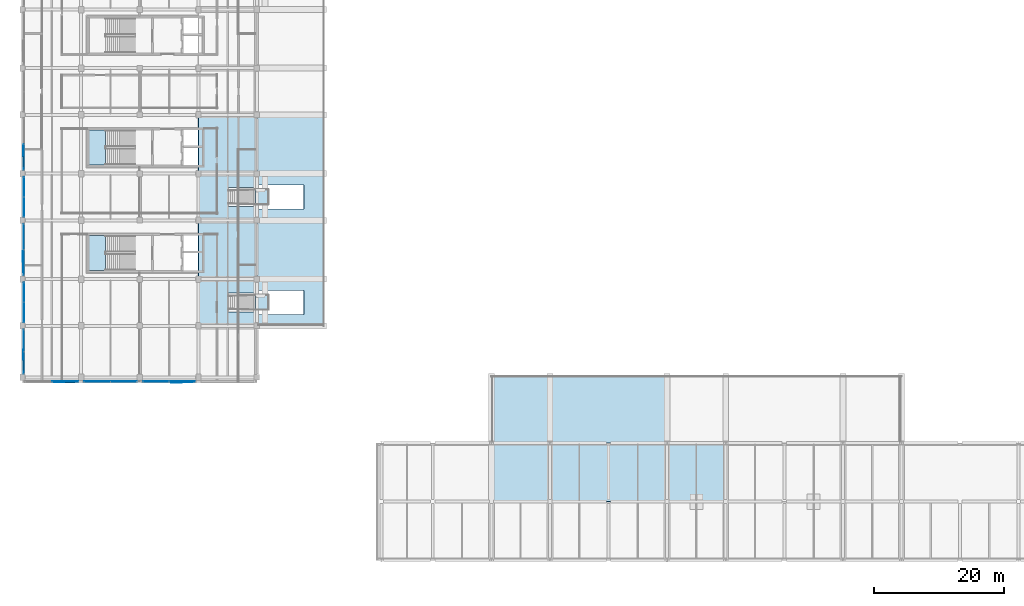
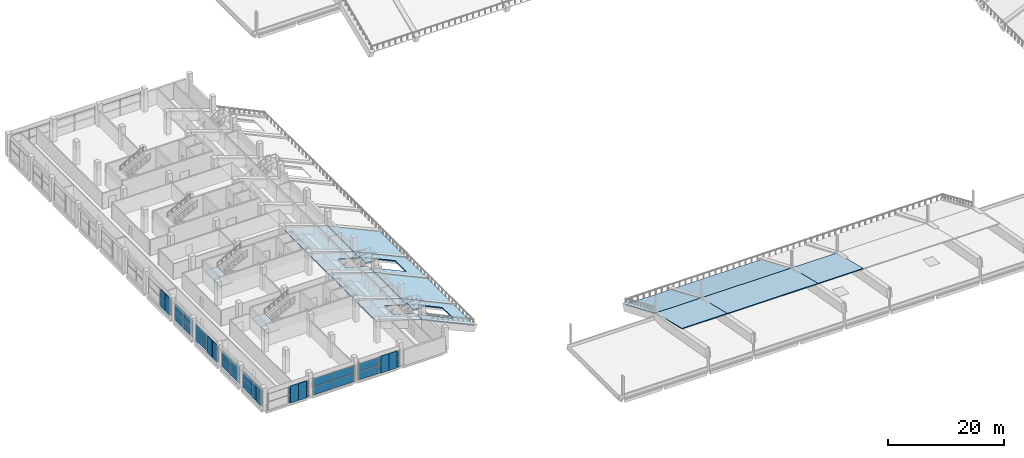
# One storey, part 40 of 66: 38 plates, 17 slabs, 10 elements without a shape of their own.
"""IFC4 building model written with IfcOpenShell, lengths in metres."""

from ifc_helpers import new_model, si_unit, direction, frame, origin, origin_2d, place, context, subcontext, project, spatial, polyline, rectangle, outline, extrude, material, layer, layer_set, type_object, element, aggregate, save


model = new_model("IFC4")

# Units and contexts
model_context = context("Model", 3, precision=1e-05, world=origin(), true_north=direction((0.0, 1.0)))
body_context = subcontext(model_context, "Body", "Model", "MODEL_VIEW")
ifc_project = project(units=[si_unit("LENGTHUNIT", "METRE"), si_unit("AREAUNIT", "SQUARE_METRE"), si_unit("VOLUMEUNIT", "CUBIC_METRE"), si_unit("PLANEANGLEUNIT", "RADIAN"), si_unit("MASSUNIT", "GRAM", prefix="KILO"), si_unit("THERMODYNAMICTEMPERATUREUNIT", "KELVIN"), si_unit("POWERUNIT", "WATT")], contexts=[model_context])

# Site, building, storey
site_placement = place(None, origin())
site = spatial("IfcSite", under=ifc_project, at=site_placement, CompositionType="ELEMENT")
building_placement = place(site_placement, origin())
building = spatial("IfcBuilding", under=site, at=building_placement, Name="Sindhuravela Promenade Stadium", CompositionType="ELEMENT")
storey_placement = place(building_placement, frame((0.0, 0.0, 19.199951171875)))
storey = spatial("IfcBuildingStorey", under=building, at=storey_placement, Name="L04", CompositionType="ELEMENT", Elevation=19.199951171875)

# Plates
ifc_material_1 = material(Name="Perforated terracotta celosia brick (15 MPa)", Category="masonry")
ifc_layer_1 = layer(ifc_material_1, 0.090087890625)
ifc_layer_set_1 = layer_set([ifc_layer_1], Name="Perforated terracotta celosia brick (15 MPa)")
plate_type_1 = type_object("IfcPlateType", Name="CL-SCR-01", PredefinedType="USERDEFINED", material=ifc_layer_set_1)
for number, where, z_axis, x_axis, name in (
    (1, (0.1201171875, 40.554931640625, 0.0), (0.0, 0.0, 1.0), (0.0, 1.0, 0.0), "Perforated brick celosia screen WEST L04-48"),
    (2, (0.1201171875, 71.85498046875, 0.0), (0.0, 0.0, 1.0), (0.0, 1.0, 0.0), "Perforated brick celosia screen WEST L04-52"),
    (3, (5.64501953125, 36.3701171875, 0.0), (0.0, 0.0, 1.0), (-1.0, 0.0, 0.0), "Perforated brick celosia screen WEST L04-64"),
):
    element("IfcPlate", number, at=place(storey_placement, frame(where, z_axis=z_axis, x_axis=x_axis)), inside=storey, type_object=plate_type_1, Name=name, ObjectType="SCREEN PANEL", PredefinedType="USERDEFINED", context=body_context, shape_type="SweptSolid", body=[
        extrude(rectangle(XDim=1.56005859375, YDim=0.090087890625, at=origin_2d()), origin(), (0.0, 0.0, 1.0), 3.580078125),
    ])
ifc_layer_2 = layer(ifc_material_1, 0.114990234375)
ifc_layer_set_2 = layer_set([ifc_layer_2], Name="Perforated terracotta celosia brick (15 MPa)")
plate_type_2 = type_object("IfcPlateType", Name="CL-SCR-02", PredefinedType="USERDEFINED", material=ifc_layer_set_2)
for number, where, z_axis, x_axis, name in (
    (4, (0.1201171875, 54.054931640625, 0.0), (0.0, 0.0, 1.0), (0.0, 1.0, 0.0), "Perforated brick celosia screen WEST L04-49"),
    (5, (25.2451171875, 36.3701171875, 0.0), (0.0, 0.0, 1.0), (-1.0, 0.0, 0.0), "Perforated brick celosia screen WEST L04-61"),
):
    element("IfcPlate", number, at=place(storey_placement, frame(where, z_axis=z_axis, x_axis=x_axis)), inside=storey, type_object=plate_type_2, Name=name, ObjectType="SCREEN PANEL", PredefinedType="USERDEFINED", context=body_context, shape_type="SweptSolid", body=[
        extrude(rectangle(XDim=1.56005859375, YDim=0.114990234375, at=origin_2d()), origin(), (0.0, 0.0, 1.0), 3.580078125),
    ])
ifc_layer_3 = layer(ifc_material_1, 0.139892578125)
ifc_layer_set_3 = layer_set([ifc_layer_3], Name="Perforated terracotta celosia brick (15 MPa)")
plate_type_3 = type_object("IfcPlateType", Name="CL-SCR-03", PredefinedType="USERDEFINED", material=ifc_layer_set_3)
for number, where, z_axis, x_axis, name in (
    (6, (0.1201171875, 55.655029296875, 0.0), (0.0, 0.0, 1.0), (0.0, 1.0, 0.0), "Perforated brick celosia screen WEST L04-50"),
    (7, (23.64501953125, 36.3701171875, 0.0), (0.0, 0.0, 1.0), (-1.0, 0.0, 0.0), "Perforated brick celosia screen WEST L04-62"),
):
    element("IfcPlate", number, at=place(storey_placement, frame(where, z_axis=z_axis, x_axis=x_axis)), inside=storey, type_object=plate_type_3, Name=name, ObjectType="SCREEN PANEL", PredefinedType="USERDEFINED", context=body_context, shape_type="SweptSolid", body=[
        extrude(rectangle(XDim=1.56005859375, YDim=0.139892578125, at=origin_2d()), origin(), (0.0, 0.0, 1.0), 3.580078125),
    ])
ifc_layer_4 = layer(ifc_material_1, 0.1650390625)
ifc_layer_set_4 = layer_set([ifc_layer_4], Name="Perforated terracotta celosia brick (15 MPa)")
plate_type_4 = type_object("IfcPlateType", Name="CL-SCR-04", PredefinedType="USERDEFINED", material=ifc_layer_set_4)
for number, where, z_axis, x_axis, name in (
    (8, (0.1201171875, 38.955078125, 0.0), (0.0, 0.0, 1.0), (0.0, 1.0, 0.0), "Perforated brick celosia screen WEST L04-47"),
    (9, (0.1201171875, 70.2548828125, 0.0), (0.0, 0.0, 1.0), (0.0, 1.0, 0.0), "Perforated brick celosia screen WEST L04-51"),
    (10, (7.2451171875, 36.3701171875, 0.0), (0.0, 0.0, 1.0), (-1.0, 0.0, 0.0), "Perforated brick celosia screen WEST L04-63"),
):
    element("IfcPlate", number, at=place(storey_placement, frame(where, z_axis=z_axis, x_axis=x_axis)), inside=storey, type_object=plate_type_4, Name=name, ObjectType="SCREEN PANEL", PredefinedType="USERDEFINED", context=body_context, shape_type="SweptSolid", body=[
        extrude(rectangle(XDim=1.56005859375, YDim=0.1650390625, at=origin_2d()), origin(), (0.0, 0.0, 1.0), 3.580078125),
    ])

# Curtain wall, plates
ifc_material_2 = material(Name="Anodised architectural aluminium 6063-T6", Category="aluminium")
curtain_wall_type_1 = type_object("IfcCurtainWallType", Name="CW-MOD-1", PredefinedType="NOTDEFINED", material=ifc_material_2)
curtain_wall_1_placement = place(storey_placement, origin())
curtain_wall_1 = element("IfcCurtainWall", 11, at=curtain_wall_1_placement, inside=storey, type_object=curtain_wall_type_1, Name="Bronze curtain wall CW-WEST-L04-048", PredefinedType="NOTDEFINED")
ifc_material_3 = material(Name="Tempered laminated low-E glass", Category="glass")
ifc_layer_5 = layer(ifc_material_3, 0.028076171875)
ifc_layer_set_5 = layer_set([ifc_layer_5], Name="Tempered laminated low-E glass")
plate_type_5 = type_object("IfcPlateType", Name="CW-PNL-01", PredefinedType="CURTAIN_PANEL", material=ifc_layer_set_5)
plate_1_placement = place(storey_placement, frame((0.199951171875, 39.35009765625, 0.01513671875), z_axis=(0.0, 0.0, 1.0), x_axis=(0.0, 1.0, 0.0)))
plate_1 = element("IfcPlate", 12, at=plate_1_placement, type_object=plate_type_5, Name="Glazed curtain panel CW-WEST-L04-048-P1.1", PredefinedType="CURTAIN_PANEL", context=body_context, shape_type="SweptSolid", body=[
    extrude(rectangle(XDim=3.340087890625, YDim=0.028076171875, at=origin_2d()), origin(), (0.0, 0.0, 1.0), 1.760009765625),
])
plate_2_placement = place(storey_placement, frame((0.199951171875, 39.35009765625, 1.80517578125), z_axis=(0.0, 0.0, 1.0), x_axis=(0.0, 1.0, 0.0)))
plate_2 = element("IfcPlate", 13, at=plate_2_placement, type_object=plate_type_5, Name="Glazed curtain panel CW-WEST-L04-048-P1.2", PredefinedType="CURTAIN_PANEL", context=body_context, shape_type="SweptSolid", body=[
    extrude(rectangle(XDim=3.340087890625, YDim=0.028076171875, at=origin_2d()), origin(), (0.0, 0.0, 1.0), 1.679931640625),
])
plate_3_placement = place(storey_placement, frame((0.199951171875, 42.75, 0.01513671875), z_axis=(0.0, 0.0, 1.0), x_axis=(0.0, 1.0, 0.0)))
plate_3 = element("IfcPlate", 14, at=plate_3_placement, type_object=plate_type_5, Name="Glazed curtain panel CW-WEST-L04-048-P2.1", PredefinedType="CURTAIN_PANEL", context=body_context, shape_type="SweptSolid", body=[
    extrude(rectangle(XDim=3.340087890625, YDim=0.028076171875, at=origin_2d()), origin(), (0.0, 0.0, 1.0), 1.760009765625),
])
plate_4_placement = place(storey_placement, frame((0.199951171875, 42.75, 1.80517578125), z_axis=(0.0, 0.0, 1.0), x_axis=(0.0, 1.0, 0.0)))
plate_4 = element("IfcPlate", 15, at=plate_4_placement, type_object=plate_type_5, Name="Glazed curtain panel CW-WEST-L04-048-P2.2", PredefinedType="CURTAIN_PANEL", context=body_context, shape_type="SweptSolid", body=[
    extrude(rectangle(XDim=3.340087890625, YDim=0.028076171875, at=origin_2d()), origin(), (0.0, 0.0, 1.0), 1.679931640625),
])
aggregate(curtain_wall_1, [plate_1, plate_2, plate_3, plate_4])

curtain_wall_type_2 = type_object("IfcCurtainWallType", Name="CW-MOD-3", PredefinedType="NOTDEFINED", material=ifc_material_2)
curtain_wall_2_placement = place(storey_placement, origin())
curtain_wall_2 = element("IfcCurtainWall", 16, at=curtain_wall_2_placement, inside=storey, type_object=curtain_wall_type_2, Name="Bronze curtain wall CW-WEST-L04-050", PredefinedType="NOTDEFINED")
plate_5_placement = place(storey_placement, frame((0.199951171875, 54.72509765625, 0.01513671875), z_axis=(0.0, 0.0, 1.0), x_axis=(0.0, 1.0, 0.0)))
plate_5 = element("IfcPlate", 17, at=plate_5_placement, type_object=plate_type_5, Name="Glazed curtain panel CW-WEST-L04-050-P1.1", PredefinedType="CURTAIN_PANEL", context=body_context, shape_type="SweptSolid", body=[
    extrude(rectangle(XDim=3.889892578125, YDim=0.028076171875, at=origin_2d()), origin(), (0.0, 0.0, 1.0), 1.760009765625),
])
plate_6_placement = place(storey_placement, frame((0.199951171875, 54.72509765625, 1.80517578125), z_axis=(0.0, 0.0, 1.0), x_axis=(0.0, 1.0, 0.0)))
plate_6 = element("IfcPlate", 18, at=plate_6_placement, type_object=plate_type_5, Name="Glazed curtain panel CW-WEST-L04-050-P1.2", PredefinedType="CURTAIN_PANEL", context=body_context, shape_type="SweptSolid", body=[
    extrude(rectangle(XDim=3.889892578125, YDim=0.028076171875, at=origin_2d()), origin(), (0.0, 0.0, 1.0), 1.679931640625),
])
plate_7_placement = place(storey_placement, frame((0.199951171875, 58.675048828125, 0.01513671875), z_axis=(0.0, 0.0, 1.0), x_axis=(0.0, 1.0, 0.0)))
plate_7 = element("IfcPlate", 19, at=plate_7_placement, type_object=plate_type_5, Name="Glazed curtain panel CW-WEST-L04-050-P2.1", PredefinedType="CURTAIN_PANEL", context=body_context, shape_type="SweptSolid", body=[
    extrude(rectangle(XDim=3.889892578125, YDim=0.028076171875, at=origin_2d()), origin(), (0.0, 0.0, 1.0), 1.760009765625),
])
plate_8_placement = place(storey_placement, frame((0.199951171875, 58.675048828125, 1.80517578125), z_axis=(0.0, 0.0, 1.0), x_axis=(0.0, 1.0, 0.0)))
plate_8 = element("IfcPlate", 20, at=plate_8_placement, type_object=plate_type_5, Name="Glazed curtain panel CW-WEST-L04-050-P2.2", PredefinedType="CURTAIN_PANEL", context=body_context, shape_type="SweptSolid", body=[
    extrude(rectangle(XDim=3.889892578125, YDim=0.028076171875, at=origin_2d()), origin(), (0.0, 0.0, 1.0), 1.679931640625),
])
aggregate(curtain_wall_2, [plate_5, plate_6, plate_7, plate_8])

curtain_wall_type_3 = type_object("IfcCurtainWallType", Name="CW-MOD-5", PredefinedType="NOTDEFINED", material=ifc_material_2)
curtain_wall_3_placement = place(storey_placement, origin())
curtain_wall_3 = element("IfcCurtainWall", 21, at=curtain_wall_3_placement, inside=storey, type_object=curtain_wall_type_3, Name="Bronze curtain wall CW-WEST-L04-052", PredefinedType="NOTDEFINED")
plate_9_placement = place(storey_placement, frame((0.199951171875, 70.925048828125, 0.01513671875), z_axis=(0.0, 0.0, 1.0), x_axis=(0.0, 1.0, 0.0)))
plate_9 = element("IfcPlate", 22, at=plate_9_placement, type_object=plate_type_5, Name="Glazed curtain panel CW-WEST-L04-052-P1.1", PredefinedType="CURTAIN_PANEL", context=body_context, shape_type="SweptSolid", body=[
    extrude(rectangle(XDim=3.889892578125, YDim=0.028076171875, at=origin_2d()), origin(), (0.0, 0.0, 1.0), 1.760009765625),
])
plate_10_placement = place(storey_placement, frame((0.199951171875, 70.925048828125, 1.80517578125), z_axis=(0.0, 0.0, 1.0), x_axis=(0.0, 1.0, 0.0)))
plate_10 = element("IfcPlate", 23, at=plate_10_placement, type_object=plate_type_5, Name="Glazed curtain panel CW-WEST-L04-052-P1.2", PredefinedType="CURTAIN_PANEL", context=body_context, shape_type="SweptSolid", body=[
    extrude(rectangle(XDim=3.889892578125, YDim=0.028076171875, at=origin_2d()), origin(), (0.0, 0.0, 1.0), 1.679931640625),
])
aggregate(curtain_wall_3, [plate_9, plate_10])

curtain_wall_type_4 = type_object("IfcCurtainWallType", Name="CW-MOD-7", PredefinedType="NOTDEFINED", material=ifc_material_2)
curtain_wall_4_placement = place(storey_placement, origin())
curtain_wall_4 = element("IfcCurtainWall", 24, at=curtain_wall_4_placement, inside=storey, type_object=curtain_wall_type_4, Name="Bronze curtain wall CW-WEST-L04-062", PredefinedType="NOTDEFINED")
plate_11_placement = place(storey_placement, frame((24.53125, 36.449951171875, 0.01513671875), z_axis=(0.0, 0.0, 1.0), x_axis=(-1.0, 0.0, 0.0)))
plate_11 = element("IfcPlate", 25, at=plate_11_placement, type_object=plate_type_5, Name="Glazed curtain panel CW-WEST-L04-062-P1.1", PredefinedType="CURTAIN_PANEL", context=body_context, shape_type="SweptSolid", body=[
    extrude(rectangle(XDim=3.97705078125, YDim=0.028076171875, at=origin_2d()), origin(), (0.0, 0.0, 1.0), 1.760009765625),
])
plate_12_placement = place(storey_placement, frame((24.53125, 36.449951171875, 1.80517578125), z_axis=(0.0, 0.0, 1.0), x_axis=(-1.0, 0.0, 0.0)))
plate_12 = element("IfcPlate", 26, at=plate_12_placement, type_object=plate_type_5, Name="Glazed curtain panel CW-WEST-L04-062-P1.2", PredefinedType="CURTAIN_PANEL", context=body_context, shape_type="SweptSolid", body=[
    extrude(rectangle(XDim=3.97705078125, YDim=0.028076171875, at=origin_2d()), origin(), (0.0, 0.0, 1.0), 1.679931640625),
])
plate_13_placement = place(storey_placement, frame((20.49365234375, 36.449951171875, 0.01513671875), z_axis=(0.0, 0.0, 1.0), x_axis=(-1.0, 0.0, 0.0)))
plate_13 = element("IfcPlate", 27, at=plate_13_placement, type_object=plate_type_5, Name="Glazed curtain panel CW-WEST-L04-062-P2.1", PredefinedType="CURTAIN_PANEL", context=body_context, shape_type="SweptSolid", body=[
    extrude(rectangle(XDim=3.97705078125, YDim=0.028076171875, at=origin_2d()), origin(), (0.0, 0.0, 1.0), 1.760009765625),
])
plate_14_placement = place(storey_placement, frame((20.49365234375, 36.449951171875, 1.80517578125), z_axis=(0.0, 0.0, 1.0), x_axis=(-1.0, 0.0, 0.0)))
plate_14 = element("IfcPlate", 28, at=plate_14_placement, type_object=plate_type_5, Name="Glazed curtain panel CW-WEST-L04-062-P2.2", PredefinedType="CURTAIN_PANEL", context=body_context, shape_type="SweptSolid", body=[
    extrude(rectangle(XDim=3.97705078125, YDim=0.028076171875, at=origin_2d()), origin(), (0.0, 0.0, 1.0), 1.679931640625),
])
aggregate(curtain_wall_4, [plate_11, plate_12, plate_13, plate_14])

curtain_wall_5_placement = place(storey_placement, origin())
curtain_wall_5 = element("IfcCurtainWall", 29, at=curtain_wall_5_placement, inside=storey, type_object=curtain_wall_type_1, Name="Bronze curtain wall CW-WEST-L04-064", PredefinedType="NOTDEFINED")
plate_15_placement = place(storey_placement, frame((6.52490234375, 36.449951171875, 0.01513671875), z_axis=(0.0, 0.0, 1.0), x_axis=(-1.0, 0.0, 0.0)))
plate_15 = element("IfcPlate", 30, at=plate_15_placement, type_object=plate_type_5, Name="Glazed curtain panel CW-WEST-L04-064-P1.1", PredefinedType="CURTAIN_PANEL", context=body_context, shape_type="SweptSolid", body=[
    extrude(rectangle(XDim=3.989990234375, YDim=0.028076171875, at=origin_2d()), origin(), (0.0, 0.0, 1.0), 1.760009765625),
])
plate_16_placement = place(storey_placement, frame((6.52490234375, 36.449951171875, 1.80517578125), z_axis=(0.0, 0.0, 1.0), x_axis=(-1.0, 0.0, 0.0)))
plate_16 = element("IfcPlate", 31, at=plate_16_placement, type_object=plate_type_5, Name="Glazed curtain panel CW-WEST-L04-064-P1.2", PredefinedType="CURTAIN_PANEL", context=body_context, shape_type="SweptSolid", body=[
    extrude(rectangle(XDim=3.989990234375, YDim=0.028076171875, at=origin_2d()), origin(), (0.0, 0.0, 1.0), 1.679931640625),
])
aggregate(curtain_wall_5, [plate_15, plate_16])

curtain_wall_type_5 = type_object("IfcCurtainWallType", Name="CW-MOD-2", PredefinedType="NOTDEFINED", material=ifc_material_2)
curtain_wall_6_placement = place(storey_placement, origin())
curtain_wall_6 = element("IfcCurtainWall", 32, at=curtain_wall_6_placement, inside=storey, type_object=curtain_wall_type_5, Name="Bronze curtain wall CW-WEST-L04-049", PredefinedType="NOTDEFINED")
ifc_layer_6 = layer(ifc_material_3, 0.0400390625)
ifc_layer_set_6 = layer_set([ifc_layer_6], Name="Tempered laminated low-E glass")
plate_type_6 = type_object("IfcPlateType", Name="CW-PNL-02", PredefinedType="CURTAIN_PANEL", material=ifc_layer_set_6)
plate_17_placement = place(storey_placement, frame((0.199951171875, 47.074951171875, 0.01513671875), z_axis=(0.0, 0.0, 1.0), x_axis=(0.0, 1.0, 0.0)))
plate_17 = element("IfcPlate", 33, at=plate_17_placement, type_object=plate_type_6, Name="Glazed curtain panel CW-WEST-L04-049-P1.1", PredefinedType="CURTAIN_PANEL", context=body_context, shape_type="SweptSolid", body=[
    extrude(rectangle(XDim=2.989990234375, YDim=0.0400390625, at=origin_2d()), origin(), (0.0, 0.0, 1.0), 1.760009765625),
])
plate_18_placement = place(storey_placement, frame((0.199951171875, 47.074951171875, 1.80517578125), z_axis=(0.0, 0.0, 1.0), x_axis=(0.0, 1.0, 0.0)))
plate_18 = element("IfcPlate", 34, at=plate_18_placement, type_object=plate_type_6, Name="Glazed curtain panel CW-WEST-L04-049-P1.2", PredefinedType="CURTAIN_PANEL", context=body_context, shape_type="SweptSolid", body=[
    extrude(rectangle(XDim=2.989990234375, YDim=0.0400390625, at=origin_2d()), origin(), (0.0, 0.0, 1.0), 1.679931640625),
])
plate_19_placement = place(storey_placement, frame((0.199951171875, 50.125, 0.01513671875), z_axis=(0.0, 0.0, 1.0), x_axis=(0.0, 1.0, 0.0)))
plate_19 = element("IfcPlate", 35, at=plate_19_placement, type_object=plate_type_6, Name="Glazed curtain panel CW-WEST-L04-049-P2.1", PredefinedType="CURTAIN_PANEL", context=body_context, shape_type="SweptSolid", body=[
    extrude(rectangle(XDim=2.989990234375, YDim=0.0400390625, at=origin_2d()), origin(), (0.0, 0.0, 1.0), 1.760009765625),
])
plate_20_placement = place(storey_placement, frame((0.199951171875, 50.125, 1.80517578125), z_axis=(0.0, 0.0, 1.0), x_axis=(0.0, 1.0, 0.0)))
plate_20 = element("IfcPlate", 36, at=plate_20_placement, type_object=plate_type_6, Name="Glazed curtain panel CW-WEST-L04-049-P2.2", PredefinedType="CURTAIN_PANEL", context=body_context, shape_type="SweptSolid", body=[
    extrude(rectangle(XDim=2.989990234375, YDim=0.0400390625, at=origin_2d()), origin(), (0.0, 0.0, 1.0), 1.679931640625),
])
aggregate(curtain_wall_6, [plate_17, plate_18, plate_19, plate_20])

curtain_wall_type_6 = type_object("IfcCurtainWallType", Name="CW-MOD-4", PredefinedType="NOTDEFINED", material=ifc_material_2)
curtain_wall_7_placement = place(storey_placement, origin())
curtain_wall_7 = element("IfcCurtainWall", 37, at=curtain_wall_7_placement, inside=storey, type_object=curtain_wall_type_6, Name="Bronze curtain wall CW-WEST-L04-051", PredefinedType="NOTDEFINED")
plate_21_placement = place(storey_placement, frame((0.199951171875, 63.27490234375, 0.01513671875), z_axis=(0.0, 0.0, 1.0), x_axis=(0.0, 1.0, 0.0)))
plate_21 = element("IfcPlate", 38, at=plate_21_placement, type_object=plate_type_6, Name="Glazed curtain panel CW-WEST-L04-051-P1.1", PredefinedType="CURTAIN_PANEL", context=body_context, shape_type="SweptSolid", body=[
    extrude(rectangle(XDim=2.989990234375, YDim=0.0400390625, at=origin_2d()), origin(), (0.0, 0.0, 1.0), 1.760009765625),
])
plate_22_placement = place(storey_placement, frame((0.199951171875, 63.27490234375, 1.80517578125), z_axis=(0.0, 0.0, 1.0), x_axis=(0.0, 1.0, 0.0)))
plate_22 = element("IfcPlate", 39, at=plate_22_placement, type_object=plate_type_6, Name="Glazed curtain panel CW-WEST-L04-051-P1.2", PredefinedType="CURTAIN_PANEL", context=body_context, shape_type="SweptSolid", body=[
    extrude(rectangle(XDim=2.989990234375, YDim=0.0400390625, at=origin_2d()), origin(), (0.0, 0.0, 1.0), 1.679931640625),
])
plate_23_placement = place(storey_placement, frame((0.199951171875, 66.324951171875, 0.01513671875), z_axis=(0.0, 0.0, 1.0), x_axis=(0.0, 1.0, 0.0)))
plate_23 = element("IfcPlate", 40, at=plate_23_placement, type_object=plate_type_6, Name="Glazed curtain panel CW-WEST-L04-051-P2.1", PredefinedType="CURTAIN_PANEL", context=body_context, shape_type="SweptSolid", body=[
    extrude(rectangle(XDim=2.989990234375, YDim=0.0400390625, at=origin_2d()), origin(), (0.0, 0.0, 1.0), 1.760009765625),
])
plate_24_placement = place(storey_placement, frame((0.199951171875, 66.324951171875, 1.80517578125), z_axis=(0.0, 0.0, 1.0), x_axis=(0.0, 1.0, 0.0)))
plate_24 = element("IfcPlate", 41, at=plate_24_placement, type_object=plate_type_6, Name="Glazed curtain panel CW-WEST-L04-051-P2.2", PredefinedType="CURTAIN_PANEL", context=body_context, shape_type="SweptSolid", body=[
    extrude(rectangle(XDim=2.989990234375, YDim=0.0400390625, at=origin_2d()), origin(), (0.0, 0.0, 1.0), 1.679931640625),
])
aggregate(curtain_wall_7, [plate_21, plate_22, plate_23, plate_24])

curtain_wall_type_7 = type_object("IfcCurtainWallType", Name="CW-MOD-8", PredefinedType="NOTDEFINED", material=ifc_material_2)
curtain_wall_8_placement = place(storey_placement, origin())
curtain_wall_8 = element("IfcCurtainWall", 42, at=curtain_wall_8_placement, inside=storey, type_object=curtain_wall_type_7, Name="Bronze curtain wall CW-WEST-L04-063", PredefinedType="NOTDEFINED")
plate_25_placement = place(storey_placement, frame((15.506103515625, 36.449951171875, 0.01513671875), z_axis=(0.0, 0.0, 1.0), x_axis=(-1.0, 0.0, 0.0)))
plate_25 = element("IfcPlate", 43, at=plate_25_placement, type_object=plate_type_6, Name="Glazed curtain panel CW-WEST-L04-063-P1.1", PredefinedType="CURTAIN_PANEL", context=body_context, shape_type="SweptSolid", body=[
    extrude(rectangle(XDim=3.97802734375, YDim=0.0400390625, at=origin_2d()), origin(), (0.0, 0.0, 1.0), 1.760009765625),
])
plate_26_placement = place(storey_placement, frame((15.506103515625, 36.449951171875, 1.80517578125), z_axis=(0.0, 0.0, 1.0), x_axis=(-1.0, 0.0, 0.0)))
plate_26 = element("IfcPlate", 44, at=plate_26_placement, type_object=plate_type_6, Name="Glazed curtain panel CW-WEST-L04-063-P1.2", PredefinedType="CURTAIN_PANEL", context=body_context, shape_type="SweptSolid", body=[
    extrude(rectangle(XDim=3.97802734375, YDim=0.0400390625, at=origin_2d()), origin(), (0.0, 0.0, 1.0), 1.679931640625),
])
plate_27_placement = place(storey_placement, frame((11.46875, 36.449951171875, 0.01513671875), z_axis=(0.0, 0.0, 1.0), x_axis=(-1.0, 0.0, 0.0)))
plate_27 = element("IfcPlate", 45, at=plate_27_placement, type_object=plate_type_6, Name="Glazed curtain panel CW-WEST-L04-063-P2.1", PredefinedType="CURTAIN_PANEL", context=body_context, shape_type="SweptSolid", body=[
    extrude(rectangle(XDim=3.97802734375, YDim=0.0400390625, at=origin_2d()), origin(), (0.0, 0.0, 1.0), 1.760009765625),
])
plate_28_placement = place(storey_placement, frame((11.46875, 36.449951171875, 1.80517578125), z_axis=(0.0, 0.0, 1.0), x_axis=(-1.0, 0.0, 0.0)))
plate_28 = element("IfcPlate", 46, at=plate_28_placement, type_object=plate_type_6, Name="Glazed curtain panel CW-WEST-L04-063-P2.2", PredefinedType="CURTAIN_PANEL", context=body_context, shape_type="SweptSolid", body=[
    extrude(rectangle(XDim=3.97802734375, YDim=0.0400390625, at=origin_2d()), origin(), (0.0, 0.0, 1.0), 1.679931640625),
])
aggregate(curtain_wall_8, [plate_25, plate_26, plate_27, plate_28])

# Slabs
ifc_material_4 = material(Name="Concrete M40", Category="concrete")
ifc_layer_7 = layer(ifc_material_4, 0.25)
ifc_layer_set_7 = layer_set([ifc_layer_7], Name="Concrete M40")
slab_type_1 = type_object("IfcSlabType", Name="SL-FLR-250", PredefinedType="FLOOR", material=ifc_layer_set_7)
slab_1_placement = place(storey_placement, frame((0.0, 0.0, 1.85009765625)))
element("IfcSlab", 47, at=slab_1_placement, inside=storey, type_object=slab_type_1, Name="Vomitory VS13 tier landing slab", PredefinedType="FLOOR", context=body_context, shape_type="SweptSolid", body=[
    extrude(outline(polyline([(35.679443359375, 63.590087890625), (37.830078125, 63.590087890625), (37.830078125, 66.010009765625), (35.679443359375, 66.010009765625), (35.679443359375, 63.590087890625)])), origin(), (0.0, 0.0, 1.0), 0.25),
])
slab_2_placement = place(storey_placement, frame((0.0, 0.0, 1.85009765625)))
element("IfcSlab", 48, at=slab_2_placement, inside=storey, type_object=slab_type_1, Name="Vomitory CS01 tier landing slab", PredefinedType="FLOOR", context=body_context, shape_type="SweptSolid", body=[
    extrude(outline(polyline([(35.679443359375, 47.389892578125), (37.830078125, 47.389892578125), (37.830078125, 49.81005859375), (35.679443359375, 49.81005859375), (35.679443359375, 47.389892578125)])), origin(), (0.0, 0.0, 1.0), 0.25),
])

# Stair, slab
stair_type = type_object("IfcStairType", Name="ST-CORE-DOGLEG", PredefinedType="HALF_TURN_STAIR", material=ifc_material_4)
stair_1_placement = place(storey_placement, origin())
stair_1 = element("IfcStair", 49, at=stair_1_placement, inside=storey, type_object=stair_type, Name="Protected escape stair ST01 (L04)", PredefinedType="HALF_TURN_STAIR")
ifc_layer_8 = layer(ifc_material_4, 0.219970703125)
ifc_layer_set_8 = layer_set([ifc_layer_8], Name="Concrete M40")
slab_type_2 = type_object("IfcSlabType", Name="SL-LND-220", PredefinedType="LANDING", material=ifc_layer_set_8)
slab_3_placement = place(storey_placement, frame((0.0, 0.0, 2.179931640625)))
slab_3 = element("IfcSlab", 50, at=slab_3_placement, type_object=slab_type_2, Name="Stair ST01 half-landing (L04)", PredefinedType="LANDING", context=body_context, shape_type="SweptSolid", body=[
    extrude(outline(polyline([(10.179931640625, 53.47998046875), (12.751953125, 53.47998046875), (12.751953125, 58.919921875), (10.179931640625, 58.919921875), (10.179931640625, 53.47998046875)])), origin(), (0.0, 0.0, 1.0), 0.22021484375),
])
aggregate(stair_1, [slab_3])

stair_2_placement = place(storey_placement, origin())
stair_2 = element("IfcStair", 51, at=stair_2_placement, inside=storey, type_object=stair_type, Name="Protected escape stair ST02 (L04)", PredefinedType="HALF_TURN_STAIR")
slab_4_placement = place(storey_placement, frame((0.0, 0.0, 2.179931640625)))
slab_4 = element("IfcSlab", 52, at=slab_4_placement, type_object=slab_type_2, Name="Stair ST02 half-landing (L04)", PredefinedType="LANDING", context=body_context, shape_type="SweptSolid", body=[
    extrude(outline(polyline([(10.179931640625, 69.679931640625), (12.751953125, 69.679931640625), (12.751953125, 75.1201171875), (10.179931640625, 75.1201171875), (10.179931640625, 69.679931640625)])), origin(), (0.0, 0.0, 1.0), 0.22021484375),
])
aggregate(stair_2, [slab_4])

# Slabs
ifc_material_5 = material(Name="Precast concrete M50", Category="concrete")
ifc_layer_9 = layer(ifc_material_5, 0.159912109375)
ifc_layer_set_9 = layer_set([ifc_layer_9], Name="Precast concrete M50")
slab_type_3 = type_object("IfcSlabType", Name="SL-TR2-160", PredefinedType="USERDEFINED", material=ifc_layer_set_9)
slab_5_placement = place(storey_placement, frame((36.0, 45.0, 1.449951171875), z_axis=(0.2873669552676956, 0.0, 0.9578205641038275), x_axis=(0.0, 1.0, 0.0)))
element("IfcSlab", 53, at=slab_5_placement, inside=storey, type_object=slab_type_3, Name="Stand upper tier West rear bay 35", ObjectType="SEATING TIER", PredefinedType="USERDEFINED", context=body_context, shape_type="SweptSolid", body=[
    extrude(outline(polyline([(0.0, 0.0), (2.1201171875, 0.0), (2.1201171875, 4.698165991257838), (5.080078125, 4.698165991257838), (5.080078125, 0.0), (7.199951171875, 0.0), (7.199951171875, 9.396331982515676), (0.0, 9.396331982515676), (0.0, 0.0)])), origin(), (0.0, 0.0, -1.0), 0.159912109375),
])
slab_6_placement = place(storey_placement, frame((36.0, 52.199951171875, 1.449951171875), z_axis=(0.2873669552676956, 0.0, 0.9578205641038274), x_axis=(0.0, 1.0, 0.0)))
element("IfcSlab", 54, at=slab_6_placement, inside=storey, type_object=slab_type_3, Name="Stand upper tier West rear bay 36", ObjectType="SEATING TIER", PredefinedType="USERDEFINED", context=body_context, shape_type="SweptSolid", body=[
    extrude(outline(polyline([(0.0, 0.0), (9.0, 0.0), (9.0, 9.396331982515676), (0.0, 9.396331982515676), (0.0, 0.0)])), origin(), (0.0, 0.0, -1.0), 0.159912109375),
])
slab_7_placement = place(storey_placement, frame((36.0, 61.199951171875, 1.449951171875), z_axis=(0.2873669552676956, 0.0, 0.9578205641038275), x_axis=(0.0, 1.0, 0.0)))
element("IfcSlab", 55, at=slab_7_placement, inside=storey, type_object=slab_type_3, Name="Stand upper tier West rear bay 37", ObjectType="SEATING TIER", PredefinedType="USERDEFINED", context=body_context, shape_type="SweptSolid", body=[
    extrude(outline(polyline([(0.0, 0.0), (2.1201171875, 0.0), (2.1201171875, 4.698165991257838), (5.080078125, 4.698165991257838), (5.080078125, 0.0), (7.199951171875, 0.0), (7.199951171875, 9.396331982515676), (0.0, 9.396331982515676), (0.0, 0.0)])), origin(), (0.0, 0.0, -1.0), 0.159912109375),
])
slab_8_placement = place(storey_placement, frame((36.0, 68.39990234375, 1.449951171875), z_axis=(0.2873669552676956, 0.0, 0.9578205641038274), x_axis=(0.0, 1.0, 0.0)))
element("IfcSlab", 56, at=slab_8_placement, inside=storey, type_object=slab_type_3, Name="Stand upper tier West rear bay 38", ObjectType="SEATING TIER", PredefinedType="USERDEFINED", context=body_context, shape_type="SweptSolid", body=[
    extrude(outline(polyline([(0.0, 0.0), (9.0, 0.0), (9.0, 9.396331982515676), (0.0, 9.396331982515676), (0.0, 0.0)])), origin(), (0.0, 0.0, -1.0), 0.159912109375),
])
slab_9_placement = place(storey_placement, frame((81.0, 27.0, 1.10009765625), z_axis=(0.0, 0.23744811744425076, 0.9714002221135124), x_axis=(-1.0, 0.0, 0.0)))
element("IfcSlab", 57, at=slab_9_placement, inside=storey, type_object=slab_type_3, Name="Stand upper tier South rear bay 44", ObjectType="SEATING TIER", PredefinedType="USERDEFINED", context=body_context, shape_type="SweptSolid", body=[
    extrude(outline(polyline([(0.0, 0.0), (9.0, 0.0), (9.0, 9.264976263252603), (0.0, 9.264976263252603), (0.0, 0.0)])), origin(), (0.0, 0.0, -1.0), 0.159912109375),
])
slab_10_placement = place(storey_placement, frame((99.0, 27.0, 1.10009765625), z_axis=(0.0, 0.23744811744425076, 0.9714002221135124), x_axis=(-1.0, 0.0, 0.0)))
element("IfcSlab", 58, at=slab_10_placement, inside=storey, type_object=slab_type_3, Name="Stand upper tier South rear bay 45", ObjectType="SEATING TIER", PredefinedType="USERDEFINED", context=body_context, shape_type="SweptSolid", body=[
    extrude(outline(polyline([(0.0, 0.0), (18.0, 0.0), (18.0, 9.264976263252603), (0.0, 9.264976263252603), (0.0, 0.0)])), origin(), (0.0, 0.0, -1.0), 0.159912109375),
])
slab_11_placement = place(storey_placement, frame((108.0, 27.0, 1.10009765625), z_axis=(0.0, 0.23744811744425076, 0.9714002221135124), x_axis=(-1.0, 0.0, 0.0)))
element("IfcSlab", 59, at=slab_11_placement, inside=storey, type_object=slab_type_3, Name="Stand upper tier South rear bay 46", ObjectType="SEATING TIER", PredefinedType="USERDEFINED", context=body_context, shape_type="SweptSolid", body=[
    extrude(outline(polyline([(0.0, 0.0), (9.0, 0.0), (9.0, 9.264976263252603), (0.0, 9.264976263252603), (0.0, 0.0)])), origin(), (0.0, 0.0, -1.0), 0.159912109375),
])
ifc_layer_10 = layer(ifc_material_5, 0.199951171875)
ifc_layer_set_10 = layer_set([ifc_layer_10], Name="Precast concrete M50")
slab_type_4 = type_object("IfcSlabType", Name="SL-TR2-200", PredefinedType="USERDEFINED", material=ifc_layer_set_10)
slab_12_placement = place(storey_placement, frame((46.39990234375, 45.0, -3.39990234375), z_axis=(0.4226359043102465, 0.0, 0.9062995599623009), x_axis=(0.0, 1.0, 0.0)))
element("IfcSlab", 60, at=slab_12_placement, inside=storey, type_object=slab_type_4, Name="Stand upper tier West cantilever bay 35", ObjectType="SEATING TIER", PredefinedType="USERDEFINED", context=body_context, shape_type="SweptSolid", body=[
    extrude(outline(polyline([(0.0, 0.0), (7.199951171875, 0.0), (7.199951171875, 11.475149144139928), (5.449951171875, 11.475149144139928), (5.449951171875, 3.5307663524341075), (1.75, 3.5307663524341075), (1.75, 11.475149144139928), (0.0, 11.475149144139928), (0.0, 0.0)])), origin(), (0.0, 0.0, -1.0), 0.199951171875),
])
slab_13_placement = place(storey_placement, frame((46.39990234375, 52.199951171875, -3.39990234375), z_axis=(0.42263969336375157, 0.0, 0.9062977929981922), x_axis=(0.0, 1.0, 0.0)))
element("IfcSlab", 61, at=slab_13_placement, inside=storey, type_object=slab_type_4, Name="Stand upper tier West cantilever bay 36", ObjectType="SEATING TIER", PredefinedType="USERDEFINED", context=body_context, shape_type="SweptSolid", body=[
    extrude(outline(polyline([(0.0, 0.0), (9.0, 0.0), (9.0, 11.475149144240213), (0.0, 11.475149144240213), (0.0, 0.0)])), origin(), (0.0, 0.0, -1.0), 0.199951171875),
])
slab_14_placement = place(storey_placement, frame((46.39990234375, 61.199951171875, -3.39990234375), z_axis=(0.4226359043102465, 0.0, 0.9062995599623009), x_axis=(0.0, 1.0, 0.0)))
element("IfcSlab", 62, at=slab_14_placement, inside=storey, type_object=slab_type_4, Name="Stand upper tier West cantilever bay 37", ObjectType="SEATING TIER", PredefinedType="USERDEFINED", context=body_context, shape_type="SweptSolid", body=[
    extrude(outline(polyline([(0.0, 0.0), (7.199951171875, 0.0), (7.199951171875, 11.475149144139928), (5.449951171875, 11.475149144139928), (5.449951171875, 3.5307663524341075), (1.75, 3.5307663524341075), (1.75, 11.475149144139928), (0.0, 11.475149144139928), (0.0, 0.0)])), origin(), (0.0, 0.0, -1.0), 0.199951171875),
])
slab_15_placement = place(storey_placement, frame((46.39990234375, 68.39990234375, -3.39990234375), z_axis=(0.42263969336375157, 0.0, 0.9062977929981922), x_axis=(0.0, 1.0, 0.0)))
element("IfcSlab", 63, at=slab_15_placement, inside=storey, type_object=slab_type_4, Name="Stand upper tier West cantilever bay 38", ObjectType="SEATING TIER", PredefinedType="USERDEFINED", context=body_context, shape_type="SweptSolid", body=[
    extrude(outline(polyline([(0.0, 0.0), (9.0, 0.0), (9.0, 11.475149144240213), (0.0, 11.475149144240213), (0.0, 0.0)])), origin(), (0.0, 0.0, -1.0), 0.199951171875),
])
slab_16_placement = place(storey_placement, frame((81.0, 37.39990234375, -3.39990234375), z_axis=(0.0, 0.3971152139711803, 0.9177687654483692), x_axis=(-1.0, 0.0, 0.0)))
element("IfcSlab", 64, at=slab_16_placement, inside=storey, type_object=slab_type_4, Name="Stand upper tier South cantilever bay 44", ObjectType="SEATING TIER", PredefinedType="USERDEFINED", context=body_context, shape_type="SweptSolid", body=[
    extrude(outline(polyline([(0.0, 0.0), (9.0, 0.0), (9.0, 11.331723997677349), (0.0, 11.331723997677349), (0.0, 0.0)])), origin(), (0.0, 0.0, -1.0), 0.199951171875),
])
slab_17_placement = place(storey_placement, frame((99.0, 37.39990234375, -3.39990234375), z_axis=(0.0, 0.3971152139711803, 0.9177687654483692), x_axis=(-1.0, 0.0, 0.0)))
element("IfcSlab", 65, at=slab_17_placement, inside=storey, type_object=slab_type_4, Name="Stand upper tier South cantilever bay 45", ObjectType="SEATING TIER", PredefinedType="USERDEFINED", context=body_context, shape_type="SweptSolid", body=[
    extrude(outline(polyline([(0.0, 0.0), (18.0, 0.0), (18.0, 11.331723997677349), (0.0, 11.331723997677349), (0.0, 0.0)])), origin(), (0.0, 0.0, -1.0), 0.199951171875),
])

save(model, "model.ifc")
